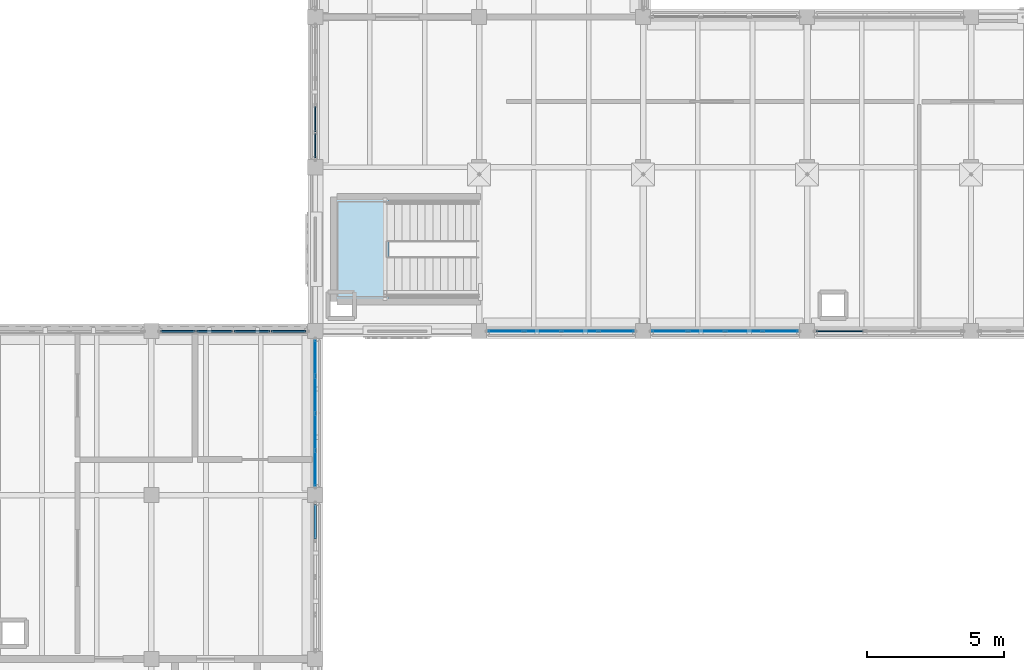
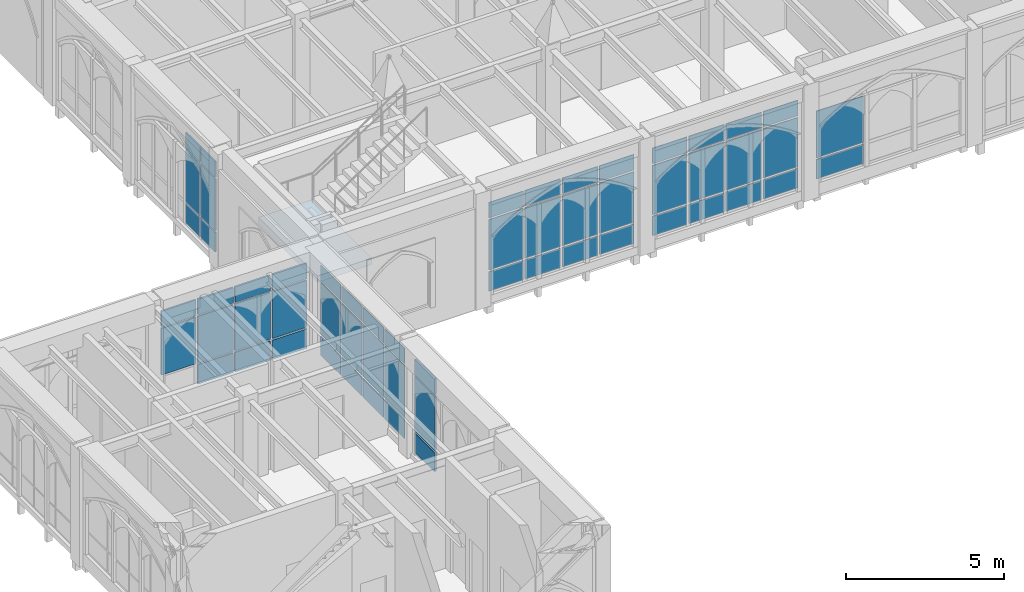
# One storey, part 63 of 108: 58 plates, 1 slab, 8 elements without a shape of their own.
"""IFC4 building model written with IfcOpenShell, lengths in metres."""

from ifc_helpers import new_model, si_unit, direction, frame, origin, origin_2d, place, context, subcontext, project, spatial, polyline, rectangle, outline, extrude, material, layer, layer_set, type_object, element, aggregate, save


model = new_model("IFC4")

# Units and contexts
model_context = context("Model", 3, precision=1e-05, world=origin(), true_north=direction((0.0, 1.0)))
body_context = subcontext(model_context, "Body", "Model", "MODEL_VIEW")
ifc_project = project(units=[si_unit("LENGTHUNIT", "METRE"), si_unit("AREAUNIT", "SQUARE_METRE"), si_unit("VOLUMEUNIT", "CUBIC_METRE"), si_unit("PLANEANGLEUNIT", "RADIAN"), si_unit("MASSUNIT", "GRAM", prefix="KILO")], contexts=[model_context])

# Site, building, storey
site_placement = place(None, origin())
site = spatial("IfcSite", under=ifc_project, at=site_placement, CompositionType="ELEMENT")
building_placement = place(site_placement, origin())
building = spatial("IfcBuilding", under=site, at=building_placement, Name="Cumevento Cable Car Station", CompositionType="ELEMENT")
storey_placement = place(building_placement, frame((0.0, 0.0, 13.5)))
storey = spatial("IfcBuildingStorey", under=building, at=storey_placement, Name="L04", CompositionType="ELEMENT", Elevation=13.5)

# Curtain wall, plates
ifc_material_1 = material(Name="Anodised Bronze Aluminium AW-6063-T6", Category="aluminium")
ifc_layer_1 = layer(ifc_material_1, 0.219970703125)
ifc_layer_set_1 = layer_set([ifc_layer_1], Name="Anodised Bronze Aluminium AW-6063-T6")
curtain_wall_type_1 = type_object("IfcCurtainWallType", Name="Lancet Curtain Wall CW-11 1450", PredefinedType="NOTDEFINED", material=ifc_layer_set_1)
curtain_wall_1_placement = place(storey_placement, origin())
curtain_wall_1 = element("IfcCurtainWall", 1, at=curtain_wall_1_placement, inside=storey, type_object=curtain_wall_type_1, Name="Lancet Curtain Wall CW-11 L04 #154", PredefinedType="NOTDEFINED")
ifc_material_2 = material(Name="Solar Control Laminated Double Glazing", Category="glass")
ifc_layer_2 = layer(ifc_material_2, 0.02197265625)
ifc_layer_set_2 = layer_set([ifc_layer_2], Name="Solar Control Laminated Double Glazing")
plate_type_1 = type_object("IfcPlateType", Name="Glazed Panel CWP-01 22", PredefinedType="CURTAIN_PANEL", material=ifc_layer_set_2)
plate_1_placement = place(storey_placement, frame((22.0, 44.027587890625, 0.324951171875), z_axis=(0.0, 0.0, 1.0), x_axis=(0.0, -1.0, 0.0)))
plate_1 = element("IfcPlate", 2, at=plate_1_placement, type_object=plate_type_1, Name="CW-11 panel 1.1", PredefinedType="CURTAIN_PANEL", context=body_context, shape_type="SweptSolid", body=[
    extrude(rectangle(XDim=1.264892578125, YDim=0.02197265625, at=origin_2d()), origin(), (0.0, 0.0, 1.0), 0.75244140625),
])
plate_2_placement = place(storey_placement, frame((22.0, 44.027587890625, 1.142578125), z_axis=(0.0, 0.0, 1.0), x_axis=(0.0, -1.0, 0.0)))
plate_2 = element("IfcPlate", 3, at=plate_2_placement, type_object=plate_type_1, Name="CW-11 panel 1.2", PredefinedType="CURTAIN_PANEL", context=body_context, shape_type="SweptSolid", body=[
    extrude(rectangle(XDim=1.264892578125, YDim=0.02197265625, at=origin_2d()), origin(), (0.0, 0.0, 1.0), 2.006103515625),
])
plate_3_placement = place(storey_placement, frame((22.0, 44.027587890625, 3.21337890625), z_axis=(0.0, 0.0, 1.0), x_axis=(0.0, -1.0, 0.0)))
plate_3 = element("IfcPlate", 4, at=plate_3_placement, type_object=plate_type_1, Name="CW-11 panel 1.3", PredefinedType="CURTAIN_PANEL", context=body_context, shape_type="SweptSolid", body=[
    extrude(rectangle(XDim=1.264892578125, YDim=0.02197265625, at=origin_2d()), origin(), (0.0, 0.0, 1.0), 0.6025390625),
])
plate_4_placement = place(storey_placement, frame((22.0, 42.68115234375, 0.324951171875), z_axis=(0.0, 0.0, 1.0), x_axis=(0.0, -1.0, 0.0)))
plate_4 = element("IfcPlate", 5, at=plate_4_placement, type_object=plate_type_1, Name="CW-11 panel 2.1", PredefinedType="CURTAIN_PANEL", context=body_context, shape_type="SweptSolid", body=[
    extrude(rectangle(XDim=1.297607421875, YDim=0.02197265625, at=origin_2d()), origin(), (0.0, 0.0, 1.0), 0.75244140625),
])
plate_5_placement = place(storey_placement, frame((22.0, 42.68115234375, 1.142578125), z_axis=(0.0, 0.0, 1.0), x_axis=(0.0, -1.0, 0.0)))
plate_5 = element("IfcPlate", 6, at=plate_5_placement, type_object=plate_type_1, Name="CW-11 panel 2.2", PredefinedType="CURTAIN_PANEL", context=body_context, shape_type="SweptSolid", body=[
    extrude(rectangle(XDim=1.297607421875, YDim=0.02197265625, at=origin_2d()), origin(), (0.0, 0.0, 1.0), 2.006103515625),
])
plate_6_placement = place(storey_placement, frame((22.0, 42.68115234375, 3.21337890625), z_axis=(0.0, 0.0, 1.0), x_axis=(0.0, -1.0, 0.0)))
plate_6 = element("IfcPlate", 7, at=plate_6_placement, type_object=plate_type_1, Name="CW-11 panel 2.3", PredefinedType="CURTAIN_PANEL", context=body_context, shape_type="SweptSolid", body=[
    extrude(rectangle(XDim=1.297607421875, YDim=0.02197265625, at=origin_2d()), origin(), (0.0, 0.0, 1.0), 0.6025390625),
])
plate_7_placement = place(storey_placement, frame((22.0, 41.31884765625, 0.324951171875), z_axis=(0.0, 0.0, 1.0), x_axis=(0.0, -1.0, 0.0)))
plate_7 = element("IfcPlate", 8, at=plate_7_placement, type_object=plate_type_1, Name="CW-11 panel 3.1", PredefinedType="CURTAIN_PANEL", context=body_context, shape_type="SweptSolid", body=[
    extrude(rectangle(XDim=1.297607421875, YDim=0.02197265625, at=origin_2d()), origin(), (0.0, 0.0, 1.0), 0.75244140625),
])
plate_8_placement = place(storey_placement, frame((22.0, 41.31884765625, 1.142578125), z_axis=(0.0, 0.0, 1.0), x_axis=(0.0, -1.0, 0.0)))
plate_8 = element("IfcPlate", 9, at=plate_8_placement, type_object=plate_type_1, Name="CW-11 panel 3.2", PredefinedType="CURTAIN_PANEL", context=body_context, shape_type="SweptSolid", body=[
    extrude(rectangle(XDim=1.297607421875, YDim=0.02197265625, at=origin_2d()), origin(), (0.0, 0.0, 1.0), 2.006103515625),
])
plate_9_placement = place(storey_placement, frame((22.0, 41.31884765625, 3.21337890625), z_axis=(0.0, 0.0, 1.0), x_axis=(0.0, -1.0, 0.0)))
plate_9 = element("IfcPlate", 10, at=plate_9_placement, type_object=plate_type_1, Name="CW-11 panel 3.3", PredefinedType="CURTAIN_PANEL", context=body_context, shape_type="SweptSolid", body=[
    extrude(rectangle(XDim=1.297607421875, YDim=0.02197265625, at=origin_2d()), origin(), (0.0, 0.0, 1.0), 0.6025390625),
])
plate_10_placement = place(storey_placement, frame((22.0, 39.972412109375, 0.324951171875), z_axis=(0.0, 0.0, 1.0), x_axis=(0.0, -1.0, 0.0)))
plate_10 = element("IfcPlate", 11, at=plate_10_placement, type_object=plate_type_1, Name="CW-11 panel 4.1", PredefinedType="CURTAIN_PANEL", context=body_context, shape_type="SweptSolid", body=[
    extrude(rectangle(XDim=1.264892578125, YDim=0.02197265625, at=origin_2d()), origin(), (0.0, 0.0, 1.0), 0.75244140625),
])
plate_11_placement = place(storey_placement, frame((22.0, 39.972412109375, 1.142578125), z_axis=(0.0, 0.0, 1.0), x_axis=(0.0, -1.0, 0.0)))
plate_11 = element("IfcPlate", 12, at=plate_11_placement, type_object=plate_type_1, Name="CW-11 panel 4.2", PredefinedType="CURTAIN_PANEL", context=body_context, shape_type="SweptSolid", body=[
    extrude(rectangle(XDim=1.264892578125, YDim=0.02197265625, at=origin_2d()), origin(), (0.0, 0.0, 1.0), 2.006103515625),
])
plate_12_placement = place(storey_placement, frame((22.0, 39.972412109375, 3.21337890625), z_axis=(0.0, 0.0, 1.0), x_axis=(0.0, -1.0, 0.0)))
plate_12 = element("IfcPlate", 13, at=plate_12_placement, type_object=plate_type_1, Name="CW-11 panel 4.3", PredefinedType="CURTAIN_PANEL", context=body_context, shape_type="SweptSolid", body=[
    extrude(rectangle(XDim=1.264892578125, YDim=0.02197265625, at=origin_2d()), origin(), (0.0, 0.0, 1.0), 0.6025390625),
])
aggregate(curtain_wall_1, [plate_1, plate_2, plate_3, plate_4, plate_5, plate_6, plate_7, plate_8, plate_9, plate_10, plate_11, plate_12])

ifc_material_3 = material(Name="Anodised Bronze Aluminium AW-6063-T6", Category="aluminium")
ifc_layer_3 = layer(ifc_material_3, 0.22607421875)
ifc_layer_set_3 = layer_set([ifc_layer_3], Name="Anodised Bronze Aluminium AW-6063-T6")
curtain_wall_type_2 = type_object("IfcCurtainWallType", Name="Lancet Curtain Wall CW-12 1490", PredefinedType="NOTDEFINED", material=ifc_layer_set_3)
curtain_wall_2_placement = place(storey_placement, origin())
curtain_wall_2 = element("IfcCurtainWall", 14, at=curtain_wall_2_placement, inside=storey, type_object=curtain_wall_type_2, Name="Lancet Curtain Wall CW-12 L04 #155", PredefinedType="NOTDEFINED")
ifc_material_4 = material(Name="Solar Control Laminated Double Glazing", Category="glass")
ifc_layer_4 = layer(ifc_material_4, 0.02587890625)
ifc_layer_set_4 = layer_set([ifc_layer_4], Name="Solar Control Laminated Double Glazing")
plate_type_2 = type_object("IfcPlateType", Name="Glazed Panel CWP-02 26", PredefinedType="CURTAIN_PANEL", material=ifc_layer_set_4)
plate_13_placement = place(storey_placement, frame((33.027587890625, 45.0, 0.375), z_axis=(0.0, 0.0, 1.0), x_axis=(-1.0, 0.0, 0.0)))
plate_13 = element("IfcPlate", 15, at=plate_13_placement, type_object=plate_type_2, Name="CW-12 panel 1.1", PredefinedType="CURTAIN_PANEL", context=body_context, shape_type="SweptSolid", body=[
    extrude(rectangle(XDim=1.264892578125, YDim=0.02587890625, at=origin_2d()), origin(), (0.0, 0.0, 1.0), 0.75244140625),
])
plate_14_placement = place(storey_placement, frame((33.027587890625, 45.0, 1.1923828125), z_axis=(0.0, 0.0, 1.0), x_axis=(-1.0, 0.0, 0.0)))
plate_14 = element("IfcPlate", 16, at=plate_14_placement, type_object=plate_type_2, Name="CW-12 panel 1.2", PredefinedType="CURTAIN_PANEL", context=body_context, shape_type="SweptSolid", body=[
    extrude(rectangle(XDim=1.264892578125, YDim=0.02587890625, at=origin_2d()), origin(), (0.0, 0.0, 1.0), 1.9560546875),
])
plate_15_placement = place(storey_placement, frame((33.027587890625, 45.0, 3.21337890625), z_axis=(0.0, 0.0, 1.0), x_axis=(-1.0, 0.0, 0.0)))
plate_15 = element("IfcPlate", 17, at=plate_15_placement, type_object=plate_type_2, Name="CW-12 panel 1.3", PredefinedType="CURTAIN_PANEL", context=body_context, shape_type="SweptSolid", body=[
    extrude(rectangle(XDim=1.264892578125, YDim=0.02587890625, at=origin_2d()), origin(), (0.0, 0.0, 1.0), 0.6025390625),
])
plate_16_placement = place(storey_placement, frame((31.68115234375, 45.0, 0.375), z_axis=(0.0, 0.0, 1.0), x_axis=(-1.0, 0.0, 0.0)))
plate_16 = element("IfcPlate", 18, at=plate_16_placement, type_object=plate_type_2, Name="CW-12 panel 2.1", PredefinedType="CURTAIN_PANEL", context=body_context, shape_type="SweptSolid", body=[
    extrude(rectangle(XDim=1.297607421875, YDim=0.02587890625, at=origin_2d()), origin(), (0.0, 0.0, 1.0), 0.75244140625),
])
plate_17_placement = place(storey_placement, frame((31.68115234375, 45.0, 1.1923828125), z_axis=(0.0, 0.0, 1.0), x_axis=(-1.0, 0.0, 0.0)))
plate_17 = element("IfcPlate", 19, at=plate_17_placement, type_object=plate_type_2, Name="CW-12 panel 2.2", PredefinedType="CURTAIN_PANEL", context=body_context, shape_type="SweptSolid", body=[
    extrude(rectangle(XDim=1.297607421875, YDim=0.02587890625, at=origin_2d()), origin(), (0.0, 0.0, 1.0), 1.9560546875),
])
plate_18_placement = place(storey_placement, frame((31.68115234375, 45.0, 3.21337890625), z_axis=(0.0, 0.0, 1.0), x_axis=(-1.0, 0.0, 0.0)))
plate_18 = element("IfcPlate", 20, at=plate_18_placement, type_object=plate_type_2, Name="CW-12 panel 2.3", PredefinedType="CURTAIN_PANEL", context=body_context, shape_type="SweptSolid", body=[
    extrude(rectangle(XDim=1.297607421875, YDim=0.02587890625, at=origin_2d()), origin(), (0.0, 0.0, 1.0), 0.6025390625),
])
plate_19_placement = place(storey_placement, frame((30.31884765625, 45.0, 0.375), z_axis=(0.0, 0.0, 1.0), x_axis=(-1.0, 0.0, 0.0)))
plate_19 = element("IfcPlate", 21, at=plate_19_placement, type_object=plate_type_2, Name="CW-12 panel 3.1", PredefinedType="CURTAIN_PANEL", context=body_context, shape_type="SweptSolid", body=[
    extrude(rectangle(XDim=1.297607421875, YDim=0.02587890625, at=origin_2d()), origin(), (0.0, 0.0, 1.0), 0.75244140625),
])
plate_20_placement = place(storey_placement, frame((30.31884765625, 45.0, 1.1923828125), z_axis=(0.0, 0.0, 1.0), x_axis=(-1.0, 0.0, 0.0)))
plate_20 = element("IfcPlate", 22, at=plate_20_placement, type_object=plate_type_2, Name="CW-12 panel 3.2", PredefinedType="CURTAIN_PANEL", context=body_context, shape_type="SweptSolid", body=[
    extrude(rectangle(XDim=1.297607421875, YDim=0.02587890625, at=origin_2d()), origin(), (0.0, 0.0, 1.0), 1.9560546875),
])
plate_21_placement = place(storey_placement, frame((30.31884765625, 45.0, 3.21337890625), z_axis=(0.0, 0.0, 1.0), x_axis=(-1.0, 0.0, 0.0)))
plate_21 = element("IfcPlate", 23, at=plate_21_placement, type_object=plate_type_2, Name="CW-12 panel 3.3", PredefinedType="CURTAIN_PANEL", context=body_context, shape_type="SweptSolid", body=[
    extrude(rectangle(XDim=1.297607421875, YDim=0.02587890625, at=origin_2d()), origin(), (0.0, 0.0, 1.0), 0.6025390625),
])
plate_22_placement = place(storey_placement, frame((28.972412109375, 45.0, 0.375), z_axis=(0.0, 0.0, 1.0), x_axis=(-1.0, 0.0, 0.0)))
plate_22 = element("IfcPlate", 24, at=plate_22_placement, type_object=plate_type_2, Name="CW-12 panel 4.1", PredefinedType="CURTAIN_PANEL", context=body_context, shape_type="SweptSolid", body=[
    extrude(rectangle(XDim=1.264892578125, YDim=0.02587890625, at=origin_2d()), origin(), (0.0, 0.0, 1.0), 0.75244140625),
])
plate_23_placement = place(storey_placement, frame((28.972412109375, 45.0, 1.1923828125), z_axis=(0.0, 0.0, 1.0), x_axis=(-1.0, 0.0, 0.0)))
plate_23 = element("IfcPlate", 25, at=plate_23_placement, type_object=plate_type_2, Name="CW-12 panel 4.2", PredefinedType="CURTAIN_PANEL", context=body_context, shape_type="SweptSolid", body=[
    extrude(rectangle(XDim=1.264892578125, YDim=0.02587890625, at=origin_2d()), origin(), (0.0, 0.0, 1.0), 1.9560546875),
])
plate_24_placement = place(storey_placement, frame((28.972412109375, 45.0, 3.21337890625), z_axis=(0.0, 0.0, 1.0), x_axis=(-1.0, 0.0, 0.0)))
plate_24 = element("IfcPlate", 26, at=plate_24_placement, type_object=plate_type_2, Name="CW-12 panel 4.3", PredefinedType="CURTAIN_PANEL", context=body_context, shape_type="SweptSolid", body=[
    extrude(rectangle(XDim=1.264892578125, YDim=0.02587890625, at=origin_2d()), origin(), (0.0, 0.0, 1.0), 0.6025390625),
])
aggregate(curtain_wall_2, [plate_13, plate_14, plate_15, plate_16, plate_17, plate_18, plate_19, plate_20, plate_21, plate_22, plate_23, plate_24])

ifc_material_5 = material(Name="Anodised Bronze Aluminium AW-6063-T6", Category="aluminium")
ifc_layer_5 = layer(ifc_material_5, 0.23193359375)
ifc_layer_set_5 = layer_set([ifc_layer_5], Name="Anodised Bronze Aluminium AW-6063-T6")
curtain_wall_type_3 = type_object("IfcCurtainWallType", Name="Lancet Curtain Wall CW-13 1530", PredefinedType="NOTDEFINED", material=ifc_layer_set_5)
curtain_wall_3_placement = place(storey_placement, origin())
curtain_wall_3 = element("IfcCurtainWall", 27, at=curtain_wall_3_placement, inside=storey, type_object=curtain_wall_type_3, Name="Lancet Curtain Wall CW-13 L04 #156", PredefinedType="NOTDEFINED")
ifc_material_6 = material(Name="Solar Control Laminated Double Glazing", Category="glass")
ifc_layer_6 = layer(ifc_material_6, 0.030029296875)
ifc_layer_set_6 = layer_set([ifc_layer_6], Name="Solar Control Laminated Double Glazing")
plate_type_3 = type_object("IfcPlateType", Name="Glazed Panel CWP-03 30", PredefinedType="CURTAIN_PANEL", material=ifc_layer_set_6)
plate_25_placement = place(storey_placement, frame((39.027587890625, 45.0, 0.425048828125), z_axis=(0.0, 0.0, 1.0), x_axis=(-1.0, 0.0, 0.0)))
plate_25 = element("IfcPlate", 28, at=plate_25_placement, type_object=plate_type_3, Name="CW-13 panel 1.1", PredefinedType="CURTAIN_PANEL", context=body_context, shape_type="SweptSolid", body=[
    extrude(rectangle(XDim=1.264892578125, YDim=0.030029296875, at=origin_2d()), origin(), (0.0, 0.0, 1.0), 0.75244140625),
])
plate_26_placement = place(storey_placement, frame((39.027587890625, 45.0, 1.24267578125), z_axis=(0.0, 0.0, 1.0), x_axis=(-1.0, 0.0, 0.0)))
plate_26 = element("IfcPlate", 29, at=plate_26_placement, type_object=plate_type_3, Name="CW-13 panel 1.2", PredefinedType="CURTAIN_PANEL", context=body_context, shape_type="SweptSolid", body=[
    extrude(rectangle(XDim=1.264892578125, YDim=0.030029296875, at=origin_2d()), origin(), (0.0, 0.0, 1.0), 1.906005859375),
])
plate_27_placement = place(storey_placement, frame((39.027587890625, 45.0, 3.21337890625), z_axis=(0.0, 0.0, 1.0), x_axis=(-1.0, 0.0, 0.0)))
plate_27 = element("IfcPlate", 30, at=plate_27_placement, type_object=plate_type_3, Name="CW-13 panel 1.3", PredefinedType="CURTAIN_PANEL", context=body_context, shape_type="SweptSolid", body=[
    extrude(rectangle(XDim=1.264892578125, YDim=0.030029296875, at=origin_2d()), origin(), (0.0, 0.0, 1.0), 0.6025390625),
])
plate_28_placement = place(storey_placement, frame((37.68115234375, 45.0, 0.425048828125), z_axis=(0.0, 0.0, 1.0), x_axis=(-1.0, 0.0, 0.0)))
plate_28 = element("IfcPlate", 31, at=plate_28_placement, type_object=plate_type_3, Name="CW-13 panel 2.1", PredefinedType="CURTAIN_PANEL", context=body_context, shape_type="SweptSolid", body=[
    extrude(rectangle(XDim=1.297607421875, YDim=0.030029296875, at=origin_2d()), origin(), (0.0, 0.0, 1.0), 0.75244140625),
])
plate_29_placement = place(storey_placement, frame((37.68115234375, 45.0, 1.24267578125), z_axis=(0.0, 0.0, 1.0), x_axis=(-1.0, 0.0, 0.0)))
plate_29 = element("IfcPlate", 32, at=plate_29_placement, type_object=plate_type_3, Name="CW-13 panel 2.2", PredefinedType="CURTAIN_PANEL", context=body_context, shape_type="SweptSolid", body=[
    extrude(rectangle(XDim=1.297607421875, YDim=0.030029296875, at=origin_2d()), origin(), (0.0, 0.0, 1.0), 1.906005859375),
])
plate_30_placement = place(storey_placement, frame((37.68115234375, 45.0, 3.21337890625), z_axis=(0.0, 0.0, 1.0), x_axis=(-1.0, 0.0, 0.0)))
plate_30 = element("IfcPlate", 33, at=plate_30_placement, type_object=plate_type_3, Name="CW-13 panel 2.3", PredefinedType="CURTAIN_PANEL", context=body_context, shape_type="SweptSolid", body=[
    extrude(rectangle(XDim=1.297607421875, YDim=0.030029296875, at=origin_2d()), origin(), (0.0, 0.0, 1.0), 0.6025390625),
])
plate_31_placement = place(storey_placement, frame((36.31884765625, 45.0, 0.425048828125), z_axis=(0.0, 0.0, 1.0), x_axis=(-1.0, 0.0, 0.0)))
plate_31 = element("IfcPlate", 34, at=plate_31_placement, type_object=plate_type_3, Name="CW-13 panel 3.1", PredefinedType="CURTAIN_PANEL", context=body_context, shape_type="SweptSolid", body=[
    extrude(rectangle(XDim=1.297607421875, YDim=0.030029296875, at=origin_2d()), origin(), (0.0, 0.0, 1.0), 0.75244140625),
])
plate_32_placement = place(storey_placement, frame((36.31884765625, 45.0, 1.24267578125), z_axis=(0.0, 0.0, 1.0), x_axis=(-1.0, 0.0, 0.0)))
plate_32 = element("IfcPlate", 35, at=plate_32_placement, type_object=plate_type_3, Name="CW-13 panel 3.2", PredefinedType="CURTAIN_PANEL", context=body_context, shape_type="SweptSolid", body=[
    extrude(rectangle(XDim=1.297607421875, YDim=0.030029296875, at=origin_2d()), origin(), (0.0, 0.0, 1.0), 1.906005859375),
])
plate_33_placement = place(storey_placement, frame((36.31884765625, 45.0, 3.21337890625), z_axis=(0.0, 0.0, 1.0), x_axis=(-1.0, 0.0, 0.0)))
plate_33 = element("IfcPlate", 36, at=plate_33_placement, type_object=plate_type_3, Name="CW-13 panel 3.3", PredefinedType="CURTAIN_PANEL", context=body_context, shape_type="SweptSolid", body=[
    extrude(rectangle(XDim=1.297607421875, YDim=0.030029296875, at=origin_2d()), origin(), (0.0, 0.0, 1.0), 0.6025390625),
])
plate_34_placement = place(storey_placement, frame((34.972412109375, 45.0, 0.425048828125), z_axis=(0.0, 0.0, 1.0), x_axis=(-1.0, 0.0, 0.0)))
plate_34 = element("IfcPlate", 37, at=plate_34_placement, type_object=plate_type_3, Name="CW-13 panel 4.1", PredefinedType="CURTAIN_PANEL", context=body_context, shape_type="SweptSolid", body=[
    extrude(rectangle(XDim=1.264892578125, YDim=0.030029296875, at=origin_2d()), origin(), (0.0, 0.0, 1.0), 0.75244140625),
])
plate_35_placement = place(storey_placement, frame((34.972412109375, 45.0, 1.24267578125), z_axis=(0.0, 0.0, 1.0), x_axis=(-1.0, 0.0, 0.0)))
plate_35 = element("IfcPlate", 38, at=plate_35_placement, type_object=plate_type_3, Name="CW-13 panel 4.2", PredefinedType="CURTAIN_PANEL", context=body_context, shape_type="SweptSolid", body=[
    extrude(rectangle(XDim=1.264892578125, YDim=0.030029296875, at=origin_2d()), origin(), (0.0, 0.0, 1.0), 1.906005859375),
])
plate_36_placement = place(storey_placement, frame((34.972412109375, 45.0, 3.21337890625), z_axis=(0.0, 0.0, 1.0), x_axis=(-1.0, 0.0, 0.0)))
plate_36 = element("IfcPlate", 39, at=plate_36_placement, type_object=plate_type_3, Name="CW-13 panel 4.3", PredefinedType="CURTAIN_PANEL", context=body_context, shape_type="SweptSolid", body=[
    extrude(rectangle(XDim=1.264892578125, YDim=0.030029296875, at=origin_2d()), origin(), (0.0, 0.0, 1.0), 0.6025390625),
])
aggregate(curtain_wall_3, [plate_25, plate_26, plate_27, plate_28, plate_29, plate_30, plate_31, plate_32, plate_33, plate_34, plate_35, plate_36])

ifc_material_7 = material(Name="Anodised Bronze Aluminium AW-6063-T6", Category="aluminium")
ifc_layer_7 = layer(ifc_material_7, 0.243896484375)
ifc_layer_set_7 = layer_set([ifc_layer_7], Name="Anodised Bronze Aluminium AW-6063-T6")
curtain_wall_type_4 = type_object("IfcCurtainWallType", Name="Lancet Curtain Wall CW-15 1610", PredefinedType="NOTDEFINED", material=ifc_layer_set_7)
curtain_wall_4_placement = place(storey_placement, origin())
curtain_wall_4 = element("IfcCurtainWall", 40, at=curtain_wall_4_placement, inside=storey, type_object=curtain_wall_type_4, Name="Lancet Curtain Wall CW-15 L04 #158", PredefinedType="NOTDEFINED")
ifc_material_8 = material(Name="Solar Control Laminated Double Glazing", Category="glass")
ifc_layer_8 = layer(ifc_material_8, 0.0380859375)
ifc_layer_set_8 = layer_set([ifc_layer_8], Name="Solar Control Laminated Double Glazing")
plate_type_4 = type_object("IfcPlateType", Name="Glazed Panel CWP-05 38", PredefinedType="CURTAIN_PANEL", material=ifc_layer_set_8)
plate_37_placement = place(storey_placement, frame((41.199462890625, 45.0, 0.525146484375), z_axis=(0.0, 0.0, 1.0), x_axis=(-1.0, 0.0, 0.0)))
plate_37 = element("IfcPlate", 41, at=plate_37_placement, type_object=plate_type_4, Name="CW-15 panel 3.1", PredefinedType="CURTAIN_PANEL", context=body_context, shape_type="SweptSolid", body=[
    extrude(rectangle(XDim=1.71923828125, YDim=0.0380859375, at=origin_2d()), origin(), (0.0, 0.0, 1.0), 0.75244140625),
])
plate_38_placement = place(storey_placement, frame((41.199462890625, 45.0, 1.3427734375), z_axis=(0.0, 0.0, 1.0), x_axis=(-1.0, 0.0, 0.0)))
plate_38 = element("IfcPlate", 42, at=plate_38_placement, type_object=plate_type_4, Name="CW-15 panel 3.2", PredefinedType="CURTAIN_PANEL", context=body_context, shape_type="SweptSolid", body=[
    extrude(rectangle(XDim=1.71923828125, YDim=0.0380859375, at=origin_2d()), origin(), (0.0, 0.0, 1.0), 1.805908203125),
])
aggregate(curtain_wall_4, [plate_37, plate_38])

ifc_material_9 = material(Name="Anodised Bronze Aluminium AW-6063-T6", Category="aluminium")
ifc_layer_9 = layer(ifc_material_9, 0.166015625)
ifc_layer_set_9 = layer_set([ifc_layer_9], Name="Anodised Bronze Aluminium AW-6063-T6")
curtain_wall_type_5 = type_object("IfcCurtainWallType", Name="Lancet Curtain Wall CW-02 1090", PredefinedType="NOTDEFINED", material=ifc_layer_set_9)
curtain_wall_5_placement = place(storey_placement, origin())
curtain_wall_5 = element("IfcCurtainWall", 43, at=curtain_wall_5_placement, inside=storey, type_object=curtain_wall_type_5, Name="Lancet Curtain Wall CW-02 L04 #161", PredefinedType="NOTDEFINED")
ifc_material_10 = material(Name="Solar Control Laminated Double Glazing", Category="glass")
ifc_layer_10 = layer(ifc_material_10, 0.050048828125)
ifc_layer_set_10 = layer_set([ifc_layer_10], Name="Solar Control Laminated Double Glazing")
plate_type_5 = type_object("IfcPlateType", Name="Glazed Panel CWP-08 50", PredefinedType="CURTAIN_PANEL", material=ifc_layer_set_10)
plate_39_placement = place(storey_placement, frame((22.0, 51.7861328125, 0.275146484375), z_axis=(0.0, 0.0, 1.0), x_axis=(0.0, 1.0, 0.0)))
plate_39 = element("IfcPlate", 44, at=plate_39_placement, type_object=plate_type_5, Name="CW-02 panel 1.1", PredefinedType="CURTAIN_PANEL", context=body_context, shape_type="SweptSolid", body=[
    extrude(rectangle(XDim=0.892578125, YDim=0.050048828125, at=origin_2d()), origin(), (0.0, 0.0, 1.0), 0.75244140625),
])
plate_40_placement = place(storey_placement, frame((22.0, 51.7861328125, 1.092529296875), z_axis=(0.0, 0.0, 1.0), x_axis=(0.0, 1.0, 0.0)))
plate_40 = element("IfcPlate", 45, at=plate_40_placement, type_object=plate_type_5, Name="CW-02 panel 1.2", PredefinedType="CURTAIN_PANEL", context=body_context, shape_type="SweptSolid", body=[
    extrude(rectangle(XDim=0.892578125, YDim=0.050048828125, at=origin_2d()), origin(), (0.0, 0.0, 1.0), 2.01806640625),
])
plate_41_placement = place(storey_placement, frame((22.0, 51.7861328125, 3.175537109375), z_axis=(0.0, 0.0, 1.0), x_axis=(0.0, 1.0, 0.0)))
plate_41 = element("IfcPlate", 46, at=plate_41_placement, type_object=plate_type_5, Name="CW-02 panel 1.3", PredefinedType="CURTAIN_PANEL", context=body_context, shape_type="SweptSolid", body=[
    extrude(rectangle(XDim=0.892578125, YDim=0.050048828125, at=origin_2d()), origin(), (0.0, 0.0, 1.0), 0.6025390625),
])
plate_42_placement = place(storey_placement, frame((22.0, 52.760009765625, 0.275146484375), z_axis=(0.0, 0.0, 1.0), x_axis=(0.0, 1.0, 0.0)))
plate_42 = element("IfcPlate", 47, at=plate_42_placement, type_object=plate_type_5, Name="CW-02 panel 2.1", PredefinedType="CURTAIN_PANEL", context=body_context, shape_type="SweptSolid", body=[
    extrude(rectangle(XDim=0.925048828125, YDim=0.050048828125, at=origin_2d()), origin(), (0.0, 0.0, 1.0), 0.75244140625),
])
plate_43_placement = place(storey_placement, frame((22.0, 52.760009765625, 1.092529296875), z_axis=(0.0, 0.0, 1.0), x_axis=(0.0, 1.0, 0.0)))
plate_43 = element("IfcPlate", 48, at=plate_43_placement, type_object=plate_type_5, Name="CW-02 panel 2.2", PredefinedType="CURTAIN_PANEL", context=body_context, shape_type="SweptSolid", body=[
    extrude(rectangle(XDim=0.925048828125, YDim=0.050048828125, at=origin_2d()), origin(), (0.0, 0.0, 1.0), 2.01806640625),
])
plate_44_placement = place(storey_placement, frame((22.0, 52.760009765625, 3.175537109375), z_axis=(0.0, 0.0, 1.0), x_axis=(0.0, 1.0, 0.0)))
plate_44 = element("IfcPlate", 49, at=plate_44_placement, type_object=plate_type_5, Name="CW-02 panel 2.3", PredefinedType="CURTAIN_PANEL", context=body_context, shape_type="SweptSolid", body=[
    extrude(rectangle(XDim=0.925048828125, YDim=0.050048828125, at=origin_2d()), origin(), (0.0, 0.0, 1.0), 0.6025390625),
])
aggregate(curtain_wall_5, [plate_39, plate_40, plate_41, plate_42, plate_43, plate_44])

ifc_material_11 = material(Name="Anodised Bronze Aluminium AW-6063-T6", Category="aluminium")
ifc_layer_11 = layer(ifc_material_11, 0.196044921875)
ifc_layer_set_11 = layer_set([ifc_layer_11], Name="Anodised Bronze Aluminium AW-6063-T6")
curtain_wall_type_6 = type_object("IfcCurtainWallType", Name="Lancet Curtain Wall CW-07 1290", PredefinedType="NOTDEFINED", material=ifc_layer_set_11)
curtain_wall_6_placement = place(storey_placement, origin())
curtain_wall_6 = element("IfcCurtainWall", 50, at=curtain_wall_6_placement, inside=storey, type_object=curtain_wall_type_6, Name="Lancet Curtain Wall CW-07 L04 #150", PredefinedType="NOTDEFINED")
ifc_material_12 = material(Name="Insulated Bronze Aluminium Spandrel Panel", Category="aluminium")
ifc_layer_12 = layer(ifc_material_12, 0.06591796875)
ifc_layer_set_12 = layer_set([ifc_layer_12], Name="Insulated Bronze Aluminium Spandrel Panel")
plate_type_6 = type_object("IfcPlateType", Name="Spandrel Panel CWP-11 66", PredefinedType="CURTAIN_PANEL", material=ifc_layer_set_12)
plate_45_placement = place(storey_placement, frame((16.972412109375, 45.0, 1.3427734375), z_axis=(0.0, 0.0, 1.0), x_axis=(1.0, 0.0, 0.0)))
plate_45 = element("IfcPlate", 51, at=plate_45_placement, type_object=plate_type_6, Name="CW-07 panel 1.2", PredefinedType="CURTAIN_PANEL", context=body_context, shape_type="SweptSolid", body=[
    extrude(rectangle(XDim=1.264892578125, YDim=0.06591796875, at=origin_2d()), origin(), (0.0, 0.0, 1.0), 1.805908203125),
])
plate_46_placement = place(storey_placement, frame((16.972412109375, 45.0, 3.21337890625), z_axis=(0.0, 0.0, 1.0), x_axis=(1.0, 0.0, 0.0)))
plate_46 = element("IfcPlate", 52, at=plate_46_placement, type_object=plate_type_6, Name="CW-07 panel 1.3", PredefinedType="CURTAIN_PANEL", context=body_context, shape_type="SweptSolid", body=[
    extrude(rectangle(XDim=1.264892578125, YDim=0.06591796875, at=origin_2d()), origin(), (0.0, 0.0, 1.0), 0.6025390625),
])
plate_47_placement = place(storey_placement, frame((18.31884765625, 45.0, 0.525146484375), z_axis=(0.0, 0.0, 1.0), x_axis=(1.0, 0.0, 0.0)))
plate_47 = element("IfcPlate", 53, at=plate_47_placement, type_object=plate_type_6, Name="CW-07 panel 2.1", PredefinedType="CURTAIN_PANEL", context=body_context, shape_type="SweptSolid", body=[
    extrude(rectangle(XDim=1.297607421875, YDim=0.06591796875, at=origin_2d()), origin(), (0.0, 0.0, 1.0), 0.75244140625),
])
plate_48_placement = place(storey_placement, frame((18.31884765625, 45.0, 1.3427734375), z_axis=(0.0, 0.0, 1.0), x_axis=(1.0, 0.0, 0.0)))
plate_48 = element("IfcPlate", 54, at=plate_48_placement, type_object=plate_type_6, Name="CW-07 panel 2.2", PredefinedType="CURTAIN_PANEL", context=body_context, shape_type="SweptSolid", body=[
    extrude(rectangle(XDim=1.297607421875, YDim=0.06591796875, at=origin_2d()), origin(), (0.0, 0.0, 1.0), 1.805908203125),
])
plate_49_placement = place(storey_placement, frame((18.31884765625, 45.0, 3.21337890625), z_axis=(0.0, 0.0, 1.0), x_axis=(1.0, 0.0, 0.0)))
plate_49 = element("IfcPlate", 55, at=plate_49_placement, type_object=plate_type_6, Name="CW-07 panel 2.3", PredefinedType="CURTAIN_PANEL", context=body_context, shape_type="SweptSolid", body=[
    extrude(rectangle(XDim=1.297607421875, YDim=0.06591796875, at=origin_2d()), origin(), (0.0, 0.0, 1.0), 0.6025390625),
])
plate_50_placement = place(storey_placement, frame((19.68115234375, 45.0, 0.525146484375), z_axis=(0.0, 0.0, 1.0), x_axis=(1.0, 0.0, 0.0)))
plate_50 = element("IfcPlate", 56, at=plate_50_placement, type_object=plate_type_6, Name="CW-07 panel 3.1", PredefinedType="CURTAIN_PANEL", context=body_context, shape_type="SweptSolid", body=[
    extrude(rectangle(XDim=1.297607421875, YDim=0.06591796875, at=origin_2d()), origin(), (0.0, 0.0, 1.0), 0.75244140625),
])
plate_51_placement = place(storey_placement, frame((19.68115234375, 45.0, 1.3427734375), z_axis=(0.0, 0.0, 1.0), x_axis=(1.0, 0.0, 0.0)))
plate_51 = element("IfcPlate", 57, at=plate_51_placement, type_object=plate_type_6, Name="CW-07 panel 3.2", PredefinedType="CURTAIN_PANEL", context=body_context, shape_type="SweptSolid", body=[
    extrude(rectangle(XDim=1.297607421875, YDim=0.06591796875, at=origin_2d()), origin(), (0.0, 0.0, 1.0), 1.805908203125),
])
plate_52_placement = place(storey_placement, frame((19.68115234375, 45.0, 3.21337890625), z_axis=(0.0, 0.0, 1.0), x_axis=(1.0, 0.0, 0.0)))
plate_52 = element("IfcPlate", 58, at=plate_52_placement, type_object=plate_type_6, Name="CW-07 panel 3.3", PredefinedType="CURTAIN_PANEL", context=body_context, shape_type="SweptSolid", body=[
    extrude(rectangle(XDim=1.297607421875, YDim=0.06591796875, at=origin_2d()), origin(), (0.0, 0.0, 1.0), 0.6025390625),
])
plate_53_placement = place(storey_placement, frame((21.027587890625, 45.0, 0.525146484375), z_axis=(0.0, 0.0, 1.0), x_axis=(1.0, 0.0, 0.0)))
plate_53 = element("IfcPlate", 59, at=plate_53_placement, type_object=plate_type_6, Name="CW-07 panel 4.1", PredefinedType="CURTAIN_PANEL", context=body_context, shape_type="SweptSolid", body=[
    extrude(rectangle(XDim=1.264892578125, YDim=0.06591796875, at=origin_2d()), origin(), (0.0, 0.0, 1.0), 0.75244140625),
])
plate_54_placement = place(storey_placement, frame((21.027587890625, 45.0, 1.3427734375), z_axis=(0.0, 0.0, 1.0), x_axis=(1.0, 0.0, 0.0)))
plate_54 = element("IfcPlate", 60, at=plate_54_placement, type_object=plate_type_6, Name="CW-07 panel 4.2", PredefinedType="CURTAIN_PANEL", context=body_context, shape_type="SweptSolid", body=[
    extrude(rectangle(XDim=1.264892578125, YDim=0.06591796875, at=origin_2d()), origin(), (0.0, 0.0, 1.0), 1.805908203125),
])
plate_55_placement = place(storey_placement, frame((21.027587890625, 45.0, 3.21337890625), z_axis=(0.0, 0.0, 1.0), x_axis=(1.0, 0.0, 0.0)))
plate_55 = element("IfcPlate", 61, at=plate_55_placement, type_object=plate_type_6, Name="CW-07 panel 4.3", PredefinedType="CURTAIN_PANEL", context=body_context, shape_type="SweptSolid", body=[
    extrude(rectangle(XDim=1.264892578125, YDim=0.06591796875, at=origin_2d()), origin(), (0.0, 0.0, 1.0), 0.6025390625),
])
aggregate(curtain_wall_6, [plate_45, plate_46, plate_47, plate_48, plate_49, plate_50, plate_51, plate_52, plate_53, plate_54, plate_55])

ifc_material_13 = material(Name="Anodised Bronze Aluminium AW-6063-T6", Category="aluminium")
ifc_layer_13 = layer(ifc_material_13, 0.2080078125)
ifc_layer_set_13 = layer_set([ifc_layer_13], Name="Anodised Bronze Aluminium AW-6063-T6")
curtain_wall_type_7 = type_object("IfcCurtainWallType", Name="Lancet Curtain Wall CW-09 1370", PredefinedType="NOTDEFINED", material=ifc_layer_set_13)
curtain_wall_7_placement = place(storey_placement, origin())
curtain_wall_7 = element("IfcCurtainWall", 62, at=curtain_wall_7_placement, inside=storey, type_object=curtain_wall_type_7, Name="Lancet Curtain Wall CW-09 L04 #152", PredefinedType="NOTDEFINED")
ifc_material_14 = material(Name="Insulated Bronze Aluminium Spandrel Panel", Category="aluminium")
ifc_layer_14 = layer(ifc_material_14, 0.077880859375)
ifc_layer_set_14 = layer_set([ifc_layer_14], Name="Insulated Bronze Aluminium Spandrel Panel")
plate_type_7 = type_object("IfcPlateType", Name="Spandrel Panel CWP-13 78", PredefinedType="CURTAIN_PANEL", material=ifc_layer_set_14)
plate_56_placement = place(storey_placement, frame((22.0, 38.027587890625, 0.22509765625), z_axis=(0.0, 0.0, 1.0), x_axis=(0.0, -1.0, 0.0)))
plate_56 = element("IfcPlate", 63, at=plate_56_placement, type_object=plate_type_7, Name="CW-09 panel 1.1", PredefinedType="CURTAIN_PANEL", context=body_context, shape_type="SweptSolid", body=[
    extrude(rectangle(XDim=1.264892578125, YDim=0.077880859375, at=origin_2d()), origin(), (0.0, 0.0, 1.0), 0.75244140625),
])
plate_57_placement = place(storey_placement, frame((22.0, 38.027587890625, 1.04248046875), z_axis=(0.0, 0.0, 1.0), x_axis=(0.0, -1.0, 0.0)))
plate_57 = element("IfcPlate", 64, at=plate_57_placement, type_object=plate_type_7, Name="CW-09 panel 1.2", PredefinedType="CURTAIN_PANEL", context=body_context, shape_type="SweptSolid", body=[
    extrude(rectangle(XDim=1.264892578125, YDim=0.077880859375, at=origin_2d()), origin(), (0.0, 0.0, 1.0), 2.10595703125),
])
plate_58_placement = place(storey_placement, frame((22.0, 38.027587890625, 3.21337890625), z_axis=(0.0, 0.0, 1.0), x_axis=(0.0, -1.0, 0.0)))
plate_58 = element("IfcPlate", 65, at=plate_58_placement, type_object=plate_type_7, Name="CW-09 panel 1.3", PredefinedType="CURTAIN_PANEL", context=body_context, shape_type="SweptSolid", body=[
    extrude(rectangle(XDim=1.264892578125, YDim=0.077880859375, at=origin_2d()), origin(), (0.0, 0.0, 1.0), 0.6025390625),
])
aggregate(curtain_wall_7, [plate_56, plate_57, plate_58])

# Stair, slab
ifc_material_15 = material(Name="Concrete C40/50", Category="concrete")
stair_type = type_object("IfcStairType", Name="Half-Turn Stair ST-T09 1500", PredefinedType="HALF_TURN_STAIR", material=ifc_material_15)
stair_placement = place(storey_placement, origin())
stair = element("IfcStair", 66, at=stair_placement, inside=storey, type_object=stair_type, Name="Belvedere Restaurant Stair L04-L05", PredefinedType="HALF_TURN_STAIR")
ifc_material_16 = material(Name="Concrete C40/50", Category="concrete")
ifc_layer_15 = layer(ifc_material_16, 0.2470703125)
ifc_layer_set_15 = layer_set([ifc_layer_15], Name="Concrete C40/50")
slab_type = type_object("IfcSlabType", Name="Stair Landing STL-T09 247", PredefinedType="LANDING", material=ifc_layer_set_15)
slab_placement = place(storey_placement, frame((0.0, 0.0, 2.0029296875)))
slab = element("IfcSlab", 67, at=slab_placement, type_object=slab_type, Name="ST-12 Half-Landing", PredefinedType="LANDING", context=body_context, shape_type="SweptSolid", body=[
    extrude(outline(polyline([(22.719970703125, 46.1201171875), (24.699951171875, 46.1201171875), (24.699951171875, 49.8798828125), (22.719970703125, 49.8798828125), (22.719970703125, 46.1201171875)])), origin(), (0.0, 0.0, 1.0), 0.2470703125),
])
aggregate(stair, [slab])

save(model, "model.ifc")
